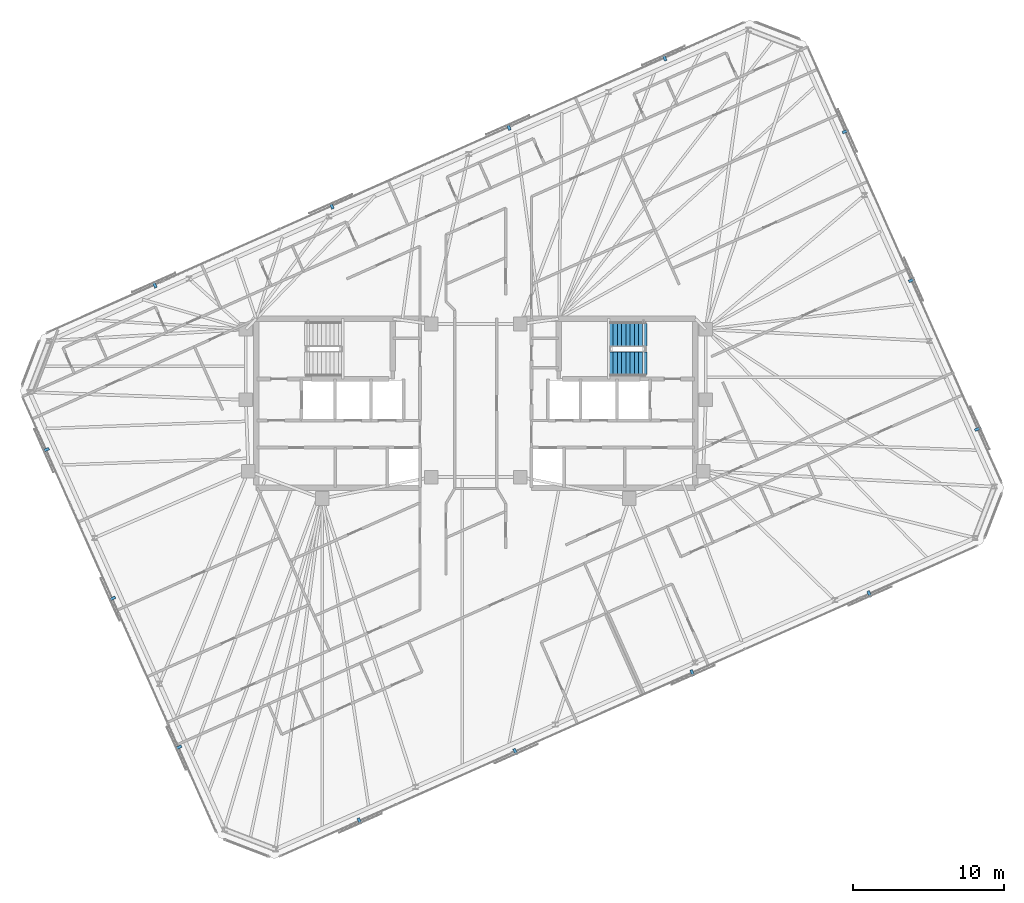
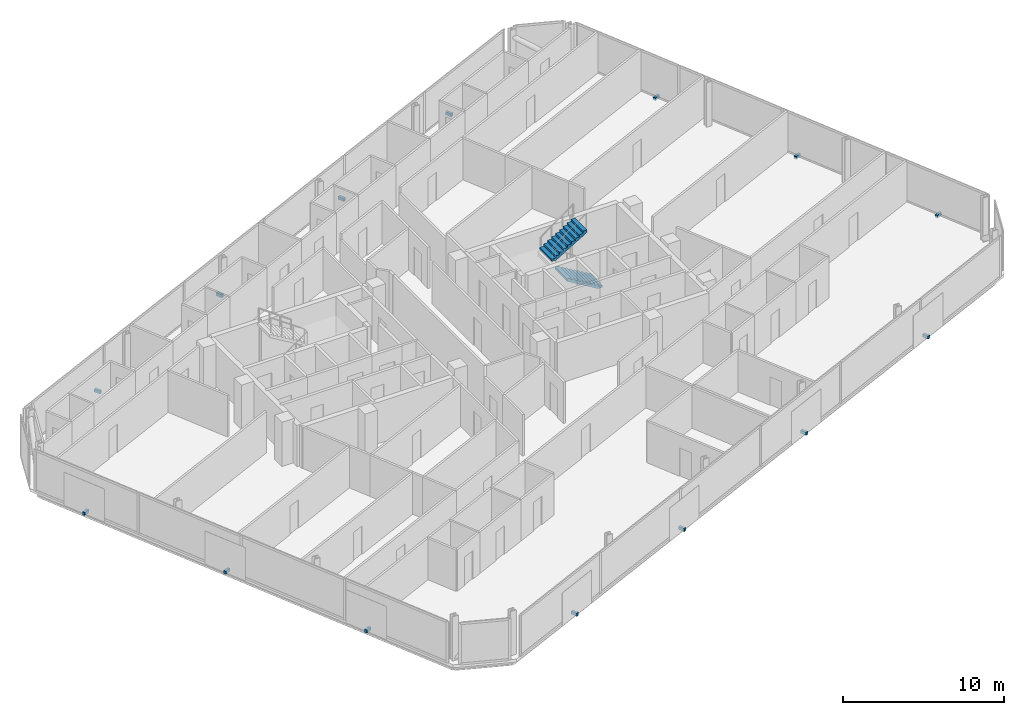
# One storey, part 18 of 19: 14 discrete accessories, 2 stair flights, 1 element without a shape of its own.
"""IFC4 building model written with IfcOpenShell, lengths in metres."""

from ifc_helpers import new_model, si_unit, direction, frame, origin, origin_2d, place, context, subcontext, project, spatial, polyline, rectangle, outline, extrude, material, type_object, element, aggregate, save


model = new_model("IFC4")

# Units and contexts
model_context = context("Model", 3, precision=1e-05, world=origin(), true_north=direction((0.0, 1.0)))
body_context = subcontext(model_context, "Body", "Model", "MODEL_VIEW")
ifc_project = project(units=[si_unit("LENGTHUNIT", "METRE"), si_unit("AREAUNIT", "SQUARE_METRE"), si_unit("VOLUMEUNIT", "CUBIC_METRE"), si_unit("PLANEANGLEUNIT", "RADIAN"), si_unit("MASSUNIT", "GRAM", prefix="KILO")], contexts=[model_context])

# Site, building, storey
site_placement = place(None, origin())
site = spatial("IfcSite", under=ifc_project, at=site_placement, CompositionType="ELEMENT")
building_placement = place(site_placement, origin())
building = spatial("IfcBuilding", under=site, at=building_placement, Name="Menara Jurai Vektor", CompositionType="ELEMENT")
storey_placement = place(building_placement, frame((0.0, 0.0, 291.949951171875)))
storey = spatial("IfcBuildingStorey", under=building, at=storey_placement, Name="L78", CompositionType="ELEMENT", Elevation=291.949951171875)

# Stair, stair flights
ifc_material_1 = material(Name="Concrete C40/50", Category="concrete")
stair_type = type_object("IfcStairType", Name="STAIR-DOGLEG-1500", PredefinedType="HALF_TURN_STAIR", material=ifc_material_1)
stair_placement = place(storey_placement, origin())
stair = element("IfcStair", 1, at=stair_placement, inside=storey, type_object=stair_type, Name="Protected Exit Stair ST2 L78", PredefinedType="HALF_TURN_STAIR")
stair_flight_type = type_object("IfcStairFlightType", Name="STAIR-FLIGHT-1500", PredefinedType="STRAIGHT", material=ifc_material_1)
stair_flight_1_placement = place(storey_placement, frame((11.35009765625, 2.64990234375, 0.0), z_axis=(0.0, 0.0, 1.0), x_axis=(-1.0, 0.0, 0.0)))
stair_flight_1 = element("IfcStairFlight", 2, at=stair_flight_1_placement, type_object=stair_flight_type, Name="ST2 flight 1", NumberOfRisers=10, NumberOfTreads=9, PredefinedType="STRAIGHT", RiserHeight=0.1675, TreadLength=0.28, context=body_context, shape_type="SweptSolid", body=[
    extrude(outline(polyline([(0.0, 0.0), (0.0, 0.16748046875), (0.280029296875, 0.16748046875), (0.280029296875, 0.3349609375), (0.56005859375, 0.3349609375), (0.56005859375, 0.50244140625), (0.840087890625, 0.50244140625), (0.840087890625, 0.669921875), (1.1201171875, 0.669921875), (1.1201171875, 0.83740234375), (1.39990234375, 0.83740234375), (1.39990234375, 1.0048828125), (1.679931640625, 1.0048828125), (1.679931640625, 1.172607421875), (1.9599609375, 1.172607421875), (1.9599609375, 1.340087890625), (2.239990234375, 1.340087890625), (2.239990234375, 1.507568359375), (2.52001953125, 1.507568359375), (2.52001953125, 1.675048828125), (2.52001953125, 1.321044921875), (0.3115234375, 0.0), (0.0, 0.0)])), frame((0.0, 0.75, 0.0), z_axis=(0.0, -1.0, 0.0), x_axis=(1.0, 0.0, 0.0)), (0.0, 0.0, 1.0), 1.5),
])
stair_flight_2_placement = place(storey_placement, frame((8.830078125, 4.550048828125, 1.675048828125), z_axis=(0.0, 0.0, 1.0), x_axis=(1.0, 0.0, 0.0)))
stair_flight_2 = element("IfcStairFlight", 3, at=stair_flight_2_placement, type_object=stair_flight_type, Name="ST2 flight 2", NumberOfRisers=10, NumberOfTreads=9, PredefinedType="STRAIGHT", RiserHeight=0.1675, TreadLength=0.28, context=body_context, shape_type="SweptSolid", body=[
    extrude(outline(polyline([(0.0, 0.0), (0.0, 0.16748046875), (0.280029296875, 0.16748046875), (0.280029296875, 0.3349609375), (0.56005859375, 0.3349609375), (0.56005859375, 0.50244140625), (0.840087890625, 0.50244140625), (0.840087890625, 0.669921875), (1.1201171875, 0.669921875), (1.1201171875, 0.83740234375), (1.39990234375, 0.83740234375), (1.39990234375, 1.0048828125), (1.679931640625, 1.0048828125), (1.679931640625, 1.172607421875), (1.9599609375, 1.172607421875), (1.9599609375, 1.340087890625), (2.239990234375, 1.340087890625), (2.239990234375, 1.507568359375), (2.52001953125, 1.507568359375), (2.52001953125, 1.675048828125), (2.52001953125, 1.321044921875), (0.3115234375, 0.0), (0.0, 0.0)])), frame((0.0, 0.75, 0.0), z_axis=(0.0, -1.0, 0.0), x_axis=(1.0, 0.0, 0.0)), (0.0, 0.0, 1.0), 1.5),
])
aggregate(stair, [stair_flight_1, stair_flight_2])

# Discrete accessories
ifc_material_2 = material(Name="Steel S355", Category="steel")
discrete_accessory_type = type_object("IfcDiscreteAccessoryType", Name="ENV-ACC-BRACKET", PredefinedType="BRACKET", material=ifc_material_2)
for number, where, z_axis, x_axis, name in (
    (4, (-7.711181640625, -27.7109375, -0.1298828125), (0.0, 0.0, 1.0), (0.913545457643, 0.406736643076, 0.0), "Solar Screen Stand-Off Bracket L78-S01"),
    (5, (2.619140625, -23.111572265625, -0.1298828125), (0.0, 0.0, 1.0), (0.913545457643, 0.406736643076, 0.0), "Solar Screen Stand-Off Bracket L78-S02"),
    (6, (14.358154296875, -17.885009765625, -0.1298828125), (0.0, 0.0, 1.0), (0.913545457643, 0.406736643076, 0.0), "Solar Screen Stand-Off Bracket L78-S03"),
    (7, (26.09716796875, -12.658203125, -0.1298828125), (0.0, 0.0, 1.0), (0.913545457643, 0.406736643076, 0.0), "Solar Screen Stand-Off Bracket L78-S04"),
    (8, (33.29931640625, -1.706298828125, -0.1298828125), (0.0, 0.0, 1.0), (-0.406736643076, 0.913545457643, 0.0), "Solar Screen Stand-Off Bracket L78-S05"),
    (9, (28.906494140625, 8.16015625, -0.1298828125), (0.0, 0.0, 1.0), (-0.406736643076, 0.913545457643, 0.0), "Solar Screen Stand-Off Bracket L78-S06"),
    (10, (24.513671875, 18.0263671875, -0.1298828125), (0.0, 0.0, 1.0), (-0.406736643076, 0.913545457643, 0.0), "Solar Screen Stand-Off Bracket L78-S07"),
    (11, (12.51123046875, 22.910888671875, -0.1298828125), (0.0, 0.0, 1.0), (-0.913545457643, -0.406736643076, 0.0), "Solar Screen Stand-Off Bracket L78-S08"),
    (12, (2.180908203125, 18.3115234375, -0.1298828125), (0.0, 0.0, 1.0), (-0.913545457643, -0.406736643076, 0.0), "Solar Screen Stand-Off Bracket L78-S09"),
    (13, (-9.55810546875, 13.0849609375, -0.1298828125), (0.0, 0.0, 1.0), (-0.913545457643, -0.406736643076, 0.0), "Solar Screen Stand-Off Bracket L78-S10"),
    (14, (-21.297119140625, 7.8583984375, -0.1298828125), (0.0, 0.0, 1.0), (-0.913545457643, -0.406736643076, 0.0), "Solar Screen Stand-Off Bracket L78-S11"),
    (15, (-28.499267578125, -3.09375, -0.1298828125), (0.0, 0.0, 1.0), (0.406736643076, -0.913545457643, 0.0), "Solar Screen Stand-Off Bracket L78-S12"),
    (16, (-24.1064453125, -12.960205078125, -0.1298828125), (0.0, 0.0, 1.0), (0.406736643076, -0.913545457643, 0.0), "Solar Screen Stand-Off Bracket L78-S13"),
    (17, (-19.713623046875, -22.826416015625, -0.1298828125), (0.0, 0.0, 1.0), (0.406736643076, -0.913545457643, 0.0), "Solar Screen Stand-Off Bracket L78-S14"),
):
    element("IfcDiscreteAccessory", number, at=place(storey_placement, frame(where, z_axis=z_axis, x_axis=x_axis)), inside=storey, type_object=discrete_accessory_type, Name=name, PredefinedType="BRACKET", context=body_context, shape_type="SweptSolid", body=[
        extrude(rectangle(XDim=0.179931640625, YDim=0.43994140625, at=origin_2d()), origin(), (0.0, 0.0, 1.0), 0.219970703125),
    ])

save(model, "model.ifc")
